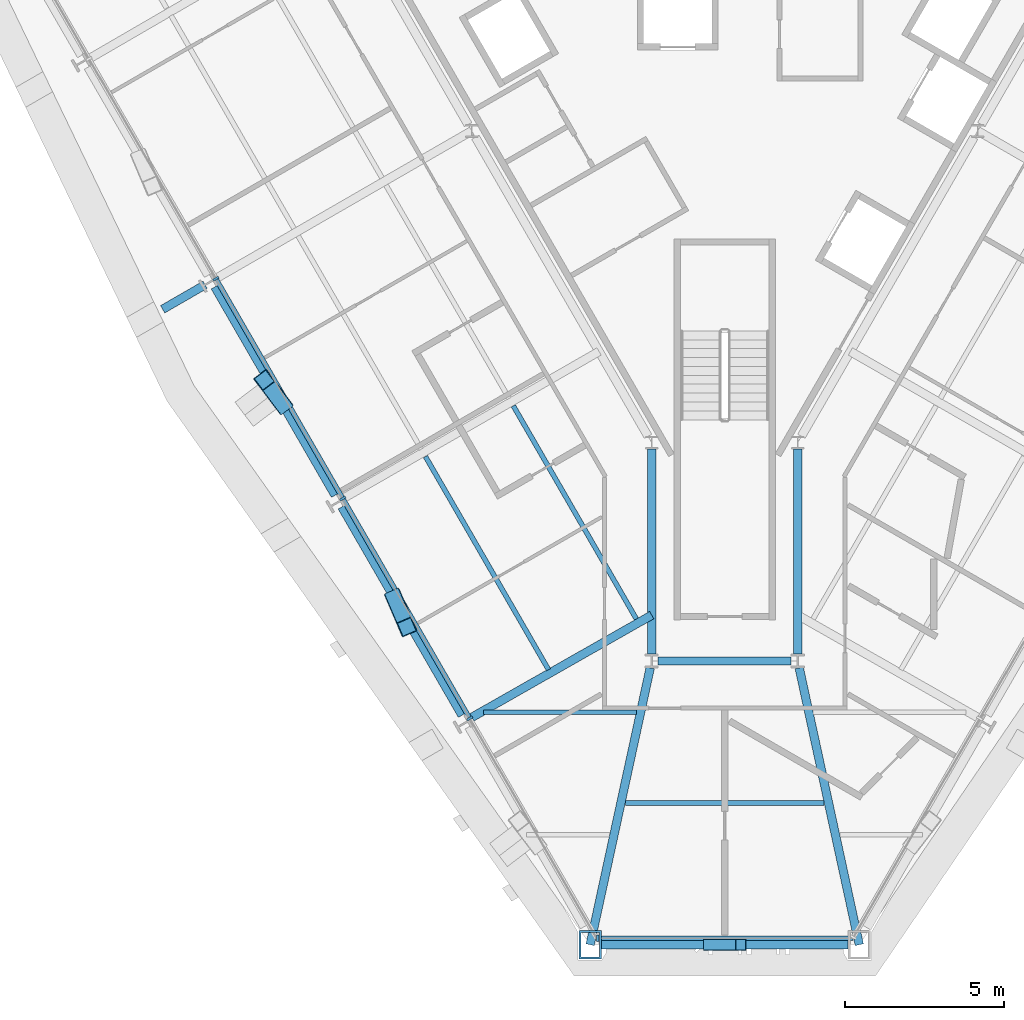
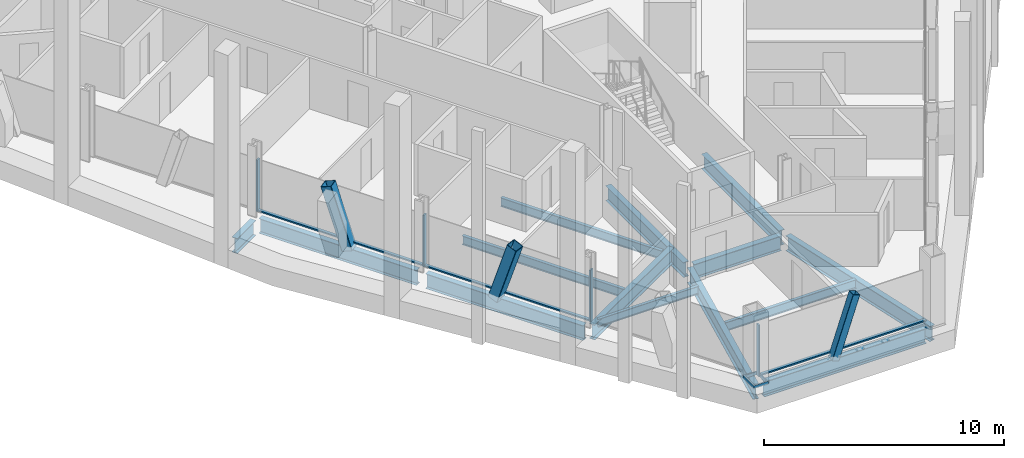
# One storey, part 3 of 16: 14 beams, 11 members, 2 elements without a shape of their own.
"""IFC4 building model written with IfcOpenShell, lengths in metres."""

from ifc_helpers import new_model, si_unit, direction, frame, origin, origin_2d, place, context, subcontext, project, spatial, rectangle, hollow_rectangle, i_section, extrude, material, material_profile, profile_set, type_object, element, aggregate, save


model = new_model("IFC4")

# Units and contexts
model_context = context("Model", 3, precision=1e-05, world=origin(), true_north=direction((0.0, 1.0)))
body_context = subcontext(model_context, "Body", "Model", "MODEL_VIEW")
ifc_project = project(units=[si_unit("LENGTHUNIT", "METRE"), si_unit("AREAUNIT", "SQUARE_METRE"), si_unit("VOLUMEUNIT", "CUBIC_METRE"), si_unit("PLANEANGLEUNIT", "RADIAN"), si_unit("MASSUNIT", "GRAM", prefix="KILO")], contexts=[model_context])

# Site, building, storey
site_placement = place(None, origin())
site = spatial("IfcSite", under=ifc_project, at=site_placement, CompositionType="ELEMENT")
building_placement = place(site_placement, origin())
building = spatial("IfcBuilding", under=site, at=building_placement, Name="Verrane Prism Tower", CompositionType="ELEMENT")
storey_placement = place(building_placement, frame((0.0, 0.0, 103.60009765625)))
storey = spatial("IfcBuildingStorey", under=building, at=storey_placement, Name="L24", CompositionType="ELEMENT", Elevation=103.60009765625)

# Member
ifc_material_1 = material(Name="Steel A500 Grade C", Category="steel")
ifc_material_profile_1 = material_profile(ifc_material_1, hollow_rectangle(XDim=0.355712890625, YDim=0.355712890625, WallThickness=0.0126953125, InnerFilletRadius=0.00634765625, OuterFilletRadius=0.01904296875, at=origin_2d()), Name="HSS14x14x1/2")
ifc_profile_set_1 = profile_set([ifc_material_profile_1], Name="Steel A500 Grade C")
member_type_1 = type_object("IfcMemberType", Name="Chamfer brace HSS14x14x1/2", PredefinedType="BRACE", material=ifc_profile_set_1)
member_1_placement = place(storey_placement, frame((-0.50537109375, -30.239990234375, -0.2451171875), z_axis=(0.319000330123, 0.0, 0.947754603989), x_axis=(0.0, 1.0, 0.0)))
element("IfcMember", 1, at=member_1_placement, inside=storey, type_object=member_type_1, Name="Chamfer brace S0 L24", PredefinedType="BRACE", context=body_context, shape_type="SweptSolid", body=[
    extrude(hollow_rectangle(XDim=0.355712890625, YDim=0.355712890625, WallThickness=0.0126953125, InnerFilletRadius=0.00634765625, OuterFilletRadius=0.01904296875, at=origin_2d()), origin(), (0.0, 0.0, 1.0), 3.16845703125),
])

# Beams
ifc_material_2 = material(Name="Steel A992", Category="steel")
ifc_material_profile_2 = material_profile(ifc_material_2, i_section(OverallWidth=0.2666015625, OverallDepth=0.76708984375, WebThickness=0.014892578125, FlangeThickness=0.023681640625, FilletRadius=0.0166015625, at=origin_2d()), Name="W30x124")
ifc_profile_set_2 = profile_set([ifc_material_profile_2], Name="Steel A992")
beam_type_1 = type_object("IfcBeamType", Name="Chamfer spandrel beam W30x124", PredefinedType="SPANDREL", material=ifc_profile_set_2)
beam_1_placement = place(storey_placement, frame((-3.889892578125, -30.239990234375, -0.543701171875), z_axis=(1.0, 0.0, 0.0), x_axis=(0.0, 1.0, 0.0)))
element("IfcBeam", 2, at=beam_1_placement, inside=storey, type_object=beam_type_1, Name="Chamfer spandrel beam L24", PredefinedType="SPANDREL", context=body_context, shape_type="SweptSolid", body=[
    extrude(i_section(OverallWidth=0.2666015625, OverallDepth=0.76708984375, WebThickness=0.014892578125, FlangeThickness=0.023681640625, FilletRadius=0.0166015625, at=origin_2d()), origin(), (0.0, 0.0, 1.0), 7.77978515625),
])
ifc_material_3 = material(Name="Steel A992", Category="steel")
ifc_material_profile_3 = material_profile(ifc_material_3, i_section(OverallWidth=0.2666015625, OverallDepth=0.7568359375, WebThickness=0.013916015625, FlangeThickness=0.019287109375, FilletRadius=0.0166015625, at=origin_2d()), Name="W30x108")
ifc_profile_set_3 = profile_set([ifc_material_profile_3], Name="Steel A992")
beam_type_2 = type_object("IfcBeamType", Name="Core ring girder W30x108", PredefinedType="BEAM", material=ifc_profile_set_3)
beam_2_placement = place(storey_placement, frame((-2.300048828125, -14.619384765625, -0.628662109375), z_axis=(0.0, -1.0, 0.0), x_axis=(1.0, 0.0, 0.0)))
element("IfcBeam", 3, at=beam_2_placement, inside=storey, type_object=beam_type_2, Name="Core ring girder L24", PredefinedType="BEAM", context=body_context, shape_type="SweptSolid", body=[
    extrude(i_section(OverallWidth=0.2666015625, OverallDepth=0.7568359375, WebThickness=0.013916015625, FlangeThickness=0.019287109375, FilletRadius=0.0166015625, at=origin_2d()), origin(), (0.0, 0.0, 1.0), 6.46337890625),
])
beam_3_placement = place(storey_placement, frame((-2.09423828125, -21.300048828125, -0.628662109375), z_axis=(1.0, 0.0, 0.0), x_axis=(0.0, 1.0, 0.0)))
element("IfcBeam", 4, at=beam_3_placement, inside=storey, type_object=beam_type_2, Name="Core ring girder L24", PredefinedType="BEAM", context=body_context, shape_type="SweptSolid", body=[
    extrude(i_section(OverallWidth=0.2666015625, OverallDepth=0.7568359375, WebThickness=0.013916015625, FlangeThickness=0.019287109375, FilletRadius=0.0166015625, at=origin_2d()), origin(), (0.0, 0.0, 1.0), 4.1884765625),
])
beam_4_placement = place(storey_placement, frame((2.300048828125, -21.082763671875, -0.628662109375), z_axis=(0.0, 1.0, 0.0), x_axis=(-1.0, 0.0, 0.0)))
element("IfcBeam", 5, at=beam_4_placement, inside=storey, type_object=beam_type_2, Name="Core ring girder L24", PredefinedType="BEAM", context=body_context, shape_type="SweptSolid", body=[
    extrude(i_section(OverallWidth=0.2666015625, OverallDepth=0.7568359375, WebThickness=0.013916015625, FlangeThickness=0.019287109375, FilletRadius=0.0166015625, at=origin_2d()), origin(), (0.0, 0.0, 1.0), 6.46337890625),
])
ifc_material_4 = material(Name="Steel A992", Category="steel")
ifc_material_profile_4 = material_profile(ifc_material_4, i_section(OverallWidth=0.2666015625, OverallDepth=0.76708984375, WebThickness=0.014892578125, FlangeThickness=0.023681640625, FilletRadius=0.0166015625, at=origin_2d()), Name="W30x124")
ifc_profile_set_4 = profile_set([ifc_material_profile_4], Name="Steel A992")
beam_type_3 = type_object("IfcBeamType", Name="Corner girder W30x124", PredefinedType="BEAM", material=ifc_profile_set_4)
for number, where, z_axis, x_axis, name in (
    (6, (-4.239501953125, -30.2373046875, -0.603515625), (0.21206955081, 0.977254575645, 0.0), (-0.977254575645, 0.21206955081, 0.0), "Corner girder L24"),
    (7, (4.239501953125, -30.2373046875, -0.603515625), (-0.21206955081, 0.977254575645, 0.0), (-0.977254575645, -0.21206955081, 0.0), "Corner girder L24"),
):
    element("IfcBeam", number, at=place(storey_placement, frame(where, z_axis=z_axis, x_axis=x_axis)), inside=storey, type_object=beam_type_3, Name=name, PredefinedType="BEAM", context=body_context, shape_type="SweptSolid", body=[
        extrude(i_section(OverallWidth=0.2666015625, OverallDepth=0.76708984375, WebThickness=0.014892578125, FlangeThickness=0.023681640625, FilletRadius=0.0166015625, at=origin_2d()), origin(), (0.0, 0.0, 1.0), 8.923095703125),
    ])

# Members
ifc_material_5 = material(Name="Steel A1085 Grade A", Category="steel")
ifc_material_profile_5 = material_profile(ifc_material_5, hollow_rectangle(XDim=0.508056640625, YDim=0.508056640625, WallThickness=0.025390625, InnerFilletRadius=0.0126953125, OuterFilletRadius=0.0380859375, at=origin_2d()), Name="HSS20x20x1")
ifc_profile_set_5 = profile_set([ifc_material_profile_5], Name="Steel A1085 Grade A")
member_type_2 = type_object("IfcMemberType", Name="Facade brace HSS20x20x1", PredefinedType="BRACE", material=ifc_profile_set_5)
member_2_placement = place(storey_placement, frame((-13.92919921875, -13.210693359375, -0.24267578125), z_axis=(-0.182415441141, 0.241286582239, 0.953155492071), x_axis=(-0.79769233979, -0.603064615975, 0.0)))
element("IfcMember", 8, at=member_2_placement, inside=storey, type_object=member_type_2, Name="Facade brace SW3 L24", PredefinedType="BRACE", context=body_context, shape_type="SweptSolid", body=[
    extrude(hollow_rectangle(XDim=0.508056640625, YDim=0.508056640625, WallThickness=0.025390625, InnerFilletRadius=0.0126953125, OuterFilletRadius=0.0380859375, at=origin_2d()), origin(), (0.0, 0.0, 1.0), 3.156005859375),
])
member_3_placement = place(storey_placement, frame((-10.406494140625, -19.31591796875, -0.24267578125), z_axis=(0.122949452926, -0.287832763151, 0.949755617242), x_axis=(0.919615704202, 0.392819241618, 0.0)))
element("IfcMember", 9, at=member_3_placement, inside=storey, type_object=member_type_2, Name="Facade brace SW4 L24", PredefinedType="BRACE", context=body_context, shape_type="SweptSolid", body=[
    extrude(hollow_rectangle(XDim=0.508056640625, YDim=0.508056640625, WallThickness=0.025390625, InnerFilletRadius=0.0126953125, OuterFilletRadius=0.0380859375, at=origin_2d()), origin(), (0.0, 0.0, 1.0), 3.167236328125),
])

# Beams
ifc_material_6 = material(Name="Steel A992", Category="steel")
ifc_material_profile_6 = material_profile(ifc_material_6, i_section(OverallWidth=0.140380859375, OverallDepth=0.40380859375, WebThickness=0.007080078125, FlangeThickness=0.01123046875, FilletRadius=0.01025390625, at=origin_2d()), Name="W16x31")
ifc_profile_set_6 = profile_set([ifc_material_profile_6], Name="Steel A992")
beam_type_4 = type_object("IfcBeamType", Name="Floor beam W16x31", PredefinedType="BEAM", material=ifc_profile_set_6)
beam_5_placement = place(storey_placement, frame((-7.598388671875, -22.913330078125, -0.362060546875), z_axis=(1.0, 0.0, 0.0), x_axis=(0.0, 1.0, 0.0)))
element("IfcBeam", 10, at=beam_5_placement, inside=storey, type_object=beam_type_4, Name="Floor beam L24", PredefinedType="BEAM", context=body_context, shape_type="SweptSolid", body=[
    extrude(i_section(OverallWidth=0.140380859375, OverallDepth=0.40380859375, WebThickness=0.007080078125, FlangeThickness=0.01123046875, FilletRadius=0.01025390625, at=origin_2d()), origin(), (0.0, 0.0, 1.0), 4.811767578125),
])
ifc_material_7 = material(Name="Steel A992", Category="steel")
ifc_material_profile_7 = material_profile(ifc_material_7, i_section(OverallWidth=0.15234375, OverallDepth=0.449462890625, WebThickness=0.007568359375, FlangeThickness=0.0107421875, FilletRadius=0.01025390625, at=origin_2d()), Name="W18x35")
ifc_profile_set_7 = profile_set([ifc_material_profile_7], Name="Steel A992")
beam_type_5 = type_object("IfcBeamType", Name="Floor beam W18x35", PredefinedType="BEAM", material=ifc_profile_set_7)
beam_6_placement = place(storey_placement, frame((-2.783203125, -19.97509765625, -0.385009765625), z_axis=(-0.500000526688, 0.866025099701, 0.0), x_axis=(-0.866025099701, -0.500000526688, 0.0)))
element("IfcBeam", 11, at=beam_6_placement, inside=storey, type_object=beam_type_5, Name="Floor beam L24", PredefinedType="BEAM", context=body_context, shape_type="SweptSolid", body=[
    extrude(i_section(OverallWidth=0.15234375, OverallDepth=0.449462890625, WebThickness=0.007568359375, FlangeThickness=0.0107421875, FilletRadius=0.01025390625, at=origin_2d()), origin(), (0.0, 0.0, 1.0), 7.751953125),
])
beam_7_placement = place(storey_placement, frame((-5.5498046875, -21.57470703125, -0.385009765625), z_axis=(-0.500009527944, 0.866019902754, 0.0), x_axis=(-0.866019902754, -0.500009527944, 0.0)))
element("IfcBeam", 12, at=beam_7_placement, inside=storey, type_object=beam_type_5, Name="Floor beam L24", PredefinedType="BEAM", context=body_context, shape_type="SweptSolid", body=[
    extrude(i_section(OverallWidth=0.15234375, OverallDepth=0.449462890625, WebThickness=0.007568359375, FlangeThickness=0.0107421875, FilletRadius=0.01025390625, at=origin_2d()), origin(), (0.0, 0.0, 1.0), 7.754150390625),
])
beam_8_placement = place(storey_placement, frame((-3.13330078125, -25.77001953125, -0.385009765625), z_axis=(1.0, 0.0, 0.0), x_axis=(0.0, 1.0, 0.0)))
element("IfcBeam", 13, at=beam_8_placement, inside=storey, type_object=beam_type_5, Name="Floor beam L24", PredefinedType="BEAM", context=body_context, shape_type="SweptSolid", body=[
    extrude(i_section(OverallWidth=0.15234375, OverallDepth=0.449462890625, WebThickness=0.007568359375, FlangeThickness=0.0107421875, FilletRadius=0.01025390625, at=origin_2d()), origin(), (0.0, 0.0, 1.0), 6.2666015625),
])

# Member
ifc_material_8 = material(Name="Steel A572 Grade 50", Category="steel")
ifc_material_profile_8 = material_profile(ifc_material_8, hollow_rectangle(XDim=0.699951171875, YDim=0.89990234375, WallThickness=0.06494140625, at=origin_2d()), Name="BOX 900x700x65")
ifc_profile_set_8 = profile_set([ifc_material_profile_8], Name="Steel A572 Grade 50")
member_type_3 = type_object("IfcMemberType", Name="Kink node BOX 900x700x65", PredefinedType="COLLAR", material=ifc_profile_set_8)
member_4_placement = place(storey_placement, frame((-4.235595703125, -30.232666015625, -0.0751953125), z_axis=(0.0, 0.0, 1.0), x_axis=(-1.0, 0.0, 0.0)))
element("IfcMember", 14, at=member_4_placement, inside=storey, type_object=member_type_3, Name="Kink node MC3 L24", PredefinedType="COLLAR", context=body_context, shape_type="SweptSolid", body=[
    extrude(hollow_rectangle(XDim=0.699951171875, YDim=0.89990234375, WallThickness=0.06494140625, at=origin_2d()), origin(), (0.0, 0.0, 1.0), 0.150146484375),
])

# Curtain wall, members
ifc_material_9 = material(Name="Aluminium framed insulated glazing", Category="aluminium")
curtain_wall_type = type_object("IfcCurtainWallType", Name="Curtain wall CW-A 8400 module", PredefinedType="NOTDEFINED", material=ifc_material_9)
curtain_wall_1_placement = place(storey_placement, origin())
curtain_wall_1 = element("IfcCurtainWall", 15, at=curtain_wall_1_placement, inside=storey, type_object=curtain_wall_type, Name="Glazed curtain wall south-west face L24", PredefinedType="NOTDEFINED")
ifc_material_10 = material(Name="Aluminium alloy 6063-T6", Category="aluminium")
ifc_material_profile_9 = material_profile(ifc_material_10, rectangle(XDim=0.199951171875, YDim=0.070068359375, at=origin_2d()), Name="Mullion 70x200 aluminium")
ifc_profile_set_9 = profile_set([ifc_material_profile_9], Name="Aluminium alloy 6063-T6")
member_type_4 = type_object("IfcMemberType", Name="Mullion 70x200 aluminium", PredefinedType="MULLION", material=ifc_profile_set_9)
member_5_placement = place(storey_placement, frame((-16.031005859375, -9.255615234375, 0.0), z_axis=(0.0, 0.0, 1.0), x_axis=(0.866025402318, 0.500000002539, 0.0)))
member_5 = element("IfcMember", 16, at=member_5_placement, type_object=member_type_4, Name="CW24.4 mullion 4", PredefinedType="MULLION", context=body_context, shape_type="SweptSolid", body=[
    extrude(rectangle(XDim=0.199951171875, YDim=0.070068359375, at=origin_2d()), origin(), (0.0, 0.0, 1.0), 2.61279296875),
])
member_6_placement = place(storey_placement, frame((-12.031982421875, -16.181884765625, 0.0), z_axis=(0.0, 0.0, 1.0), x_axis=(0.866025402318, 0.500000002539, 0.0)))
member_6 = element("IfcMember", 17, at=member_6_placement, type_object=member_type_4, Name="CW24.4 mullion 5", PredefinedType="MULLION", context=body_context, shape_type="SweptSolid", body=[
    extrude(rectangle(XDim=0.199951171875, YDim=0.070068359375, at=origin_2d()), origin(), (0.0, 0.0, 1.0), 2.61279296875),
])
member_7_placement = place(storey_placement, frame((-8.032958984375, -23.1083984375, 0.0), z_axis=(0.0, 0.0, 1.0), x_axis=(0.866025402318, 0.500000002539, 0.0)))
member_7 = element("IfcMember", 18, at=member_7_placement, type_object=member_type_4, Name="CW24.4 mullion 6", PredefinedType="MULLION", context=body_context, shape_type="SweptSolid", body=[
    extrude(rectangle(XDim=0.199951171875, YDim=0.070068359375, at=origin_2d()), origin(), (0.0, 0.0, 1.0), 2.61279296875),
])

# Curtain wall, member
curtain_wall_2_placement = place(storey_placement, origin())
curtain_wall_2 = element("IfcCurtainWall", 19, at=curtain_wall_2_placement, inside=storey, type_object=curtain_wall_type, Name="Glazed curtain wall south corner L24", PredefinedType="NOTDEFINED")
member_8_placement = place(storey_placement, frame((-3.998779296875, -30.034912109375, 0.0), z_axis=(0.0, 0.0, 1.0), x_axis=(0.0, 1.0, 0.0)))
member_8 = element("IfcMember", 20, at=member_8_placement, type_object=member_type_4, Name="CW24.5 mullion 1", PredefinedType="MULLION", context=body_context, shape_type="SweptSolid", body=[
    extrude(rectangle(XDim=0.199951171875, YDim=0.070068359375, at=origin_2d()), origin(), (0.0, 0.0, 1.0), 2.61279296875),
])

# Beams
ifc_material_11 = material(Name="Steel A992", Category="steel")
ifc_material_profile_10 = material_profile(ifc_material_11, i_section(OverallWidth=0.2666015625, OverallDepth=0.76708984375, WebThickness=0.014892578125, FlangeThickness=0.023681640625, FilletRadius=0.0166015625, at=origin_2d()), Name="W30x124")
ifc_profile_set_10 = profile_set([ifc_material_profile_10], Name="Steel A992")
beam_type_6 = type_object("IfcBeamType", Name="Radial girder W30x124", PredefinedType="BEAM", material=ifc_profile_set_10)
beam_9_placement = place(storey_placement, frame((-7.9638671875, -23.07421875, -0.603515625), z_axis=(0.869363990661, 0.494172289532, 0.0), x_axis=(-0.494172289532, 0.869363990661, 0.0)))
element("IfcBeam", 21, at=beam_9_placement, inside=storey, type_object=beam_type_6, Name="Radial girder L24", PredefinedType="BEAM", context=body_context, shape_type="SweptSolid", body=[
    extrude(i_section(OverallWidth=0.2666015625, OverallDepth=0.76708984375, WebThickness=0.014892578125, FlangeThickness=0.023681640625, FilletRadius=0.0166015625, at=origin_2d()), origin(), (0.0, 0.0, 1.0), 6.514892578125),
])
beam_10_placement = place(storey_placement, frame((-16.370361328125, -9.447998046875, -0.603515625), z_axis=(-0.866043267704, -0.499969057507, 0.0), x_axis=(0.499969057507, -0.866043267704, 0.0)))
element("IfcBeam", 22, at=beam_10_placement, inside=storey, type_object=beam_type_6, Name="Cantilever girder L24", PredefinedType="BEAM", context=body_context, shape_type="SweptSolid", body=[
    extrude(i_section(OverallWidth=0.2666015625, OverallDepth=0.76708984375, WebThickness=0.014892578125, FlangeThickness=0.023681640625, FilletRadius=0.0166015625, at=origin_2d()), origin(), (0.0, 0.0, 1.0), 1.54248046875),
])
ifc_material_12 = material(Name="Steel A992", Category="steel")
ifc_material_profile_11 = material_profile(ifc_material_12, i_section(OverallWidth=0.2666015625, OverallDepth=0.7568359375, WebThickness=0.013916015625, FlangeThickness=0.019287109375, FilletRadius=0.0166015625, at=origin_2d()), Name="W30x108")
ifc_profile_set_11 = profile_set([ifc_material_profile_11], Name="Steel A992")
beam_type_7 = type_object("IfcBeamType", Name="Spandrel beam W30x108", PredefinedType="SPANDREL", material=ifc_profile_set_11)
beam_11_placement = place(storey_placement, frame((-16.062255859375, -9.514404296875, -0.53857421875), z_axis=(0.499815412818, -0.866131949018, 0.0), x_axis=(0.866131949018, 0.499815412818, 0.0)))
element("IfcBeam", 23, at=beam_11_placement, inside=storey, type_object=beam_type_7, Name="Spandrel beam L24", PredefinedType="SPANDREL", context=body_context, shape_type="SweptSolid", body=[
    extrude(i_section(OverallWidth=0.2666015625, OverallDepth=0.7568359375, WebThickness=0.013916015625, FlangeThickness=0.019287109375, FilletRadius=0.0166015625, at=origin_2d()), origin(), (0.0, 0.0, 1.0), 7.578369140625),
])
beam_12_placement = place(storey_placement, frame((-12.0625, -16.44580078125, -0.53857421875), z_axis=(0.499743841233, -0.866173246614, 0.0), x_axis=(0.866173246614, 0.499743841233, 0.0)))
element("IfcBeam", 24, at=beam_12_placement, inside=storey, type_object=beam_type_7, Name="Spandrel beam L24", PredefinedType="SPANDREL", context=body_context, shape_type="SweptSolid", body=[
    extrude(i_section(OverallWidth=0.2666015625, OverallDepth=0.7568359375, WebThickness=0.013916015625, FlangeThickness=0.019287109375, FilletRadius=0.0166015625, at=origin_2d()), origin(), (0.0, 0.0, 1.0), 7.576171875),
])

# Member
ifc_material_13 = material(Name="Aluminium alloy 6063-T6", Category="aluminium")
ifc_material_profile_12 = material_profile(ifc_material_13, rectangle(XDim=0.14990234375, YDim=0.070068359375, at=origin_2d()), Name="Transom 70x150 aluminium")
ifc_profile_set_12 = profile_set([ifc_material_profile_12], Name="Aluminium alloy 6063-T6")
member_type_5 = type_object("IfcMemberType", Name="Transom 70x150 aluminium", PredefinedType="USERDEFINED", material=ifc_profile_set_12)
member_9_placement = place(storey_placement, frame((-16.013427734375, -9.285888671875, 0.034912109375), z_axis=(0.50001745439, -0.866015326253, 0.0), x_axis=(0.866015326253, 0.50001745439, 0.0)))
member_9 = element("IfcMember", 25, at=member_9_placement, type_object=member_type_5, Name="CW24.4 transom 4", ObjectType="TRANSOM", PredefinedType="USERDEFINED", context=body_context, shape_type="SweptSolid", body=[
    extrude(rectangle(XDim=0.14990234375, YDim=0.070068359375, at=origin_2d()), origin(), (0.0, 0.0, 1.0), 7.927978515625),
])

member_10_placement = place(storey_placement, frame((-12.014404296875, -16.21240234375, 0.034912109375), z_axis=(0.499994358189, -0.866028661061, 0.0), x_axis=(0.866028661061, 0.499994358189, 0.0)))
member_10 = element("IfcMember", 26, at=member_10_placement, type_object=member_type_5, Name="CW24.4 transom 5", ObjectType="TRANSOM", PredefinedType="USERDEFINED", context=body_context, shape_type="SweptSolid", body=[
    extrude(rectangle(XDim=0.14990234375, YDim=0.070068359375, at=origin_2d()), origin(), (0.0, 0.0, 1.0), 7.927734375),
])

aggregate(curtain_wall_1, [member_5, member_6, member_7, member_9, member_10])

member_11_placement = place(storey_placement, frame((-3.9638671875, -30.034912109375, 0.034912109375), z_axis=(1.0, 0.0, 0.0), x_axis=(0.0, 1.0, 0.0)))
member_11 = element("IfcMember", 27, at=member_11_placement, type_object=member_type_5, Name="CW24.5 transom 1", ObjectType="TRANSOM", PredefinedType="USERDEFINED", context=body_context, shape_type="SweptSolid", body=[
    extrude(rectangle(XDim=0.14990234375, YDim=0.070068359375, at=origin_2d()), origin(), (0.0, 0.0, 1.0), 7.997802734375),
])

aggregate(curtain_wall_2, [member_8, member_11])

save(model, "model.ifc")
